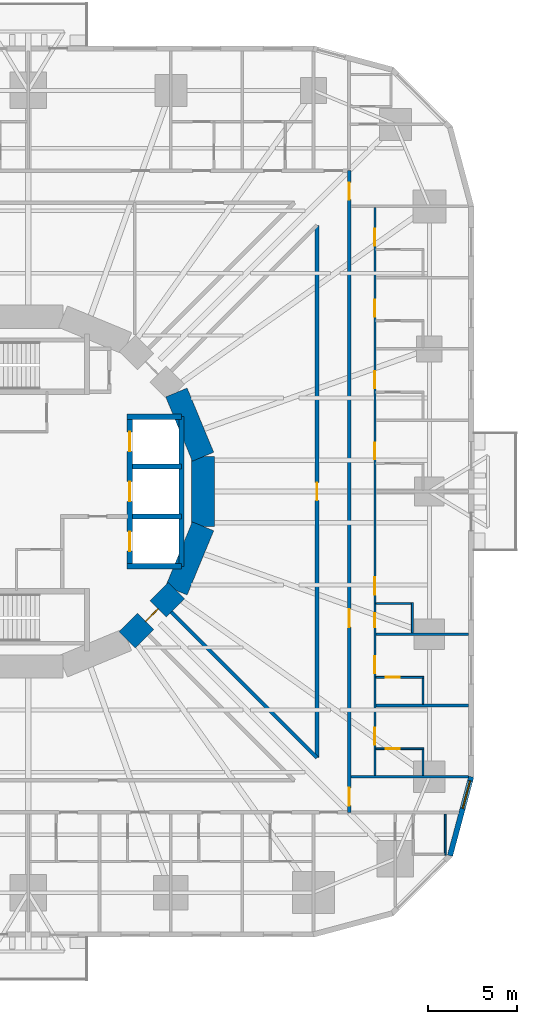
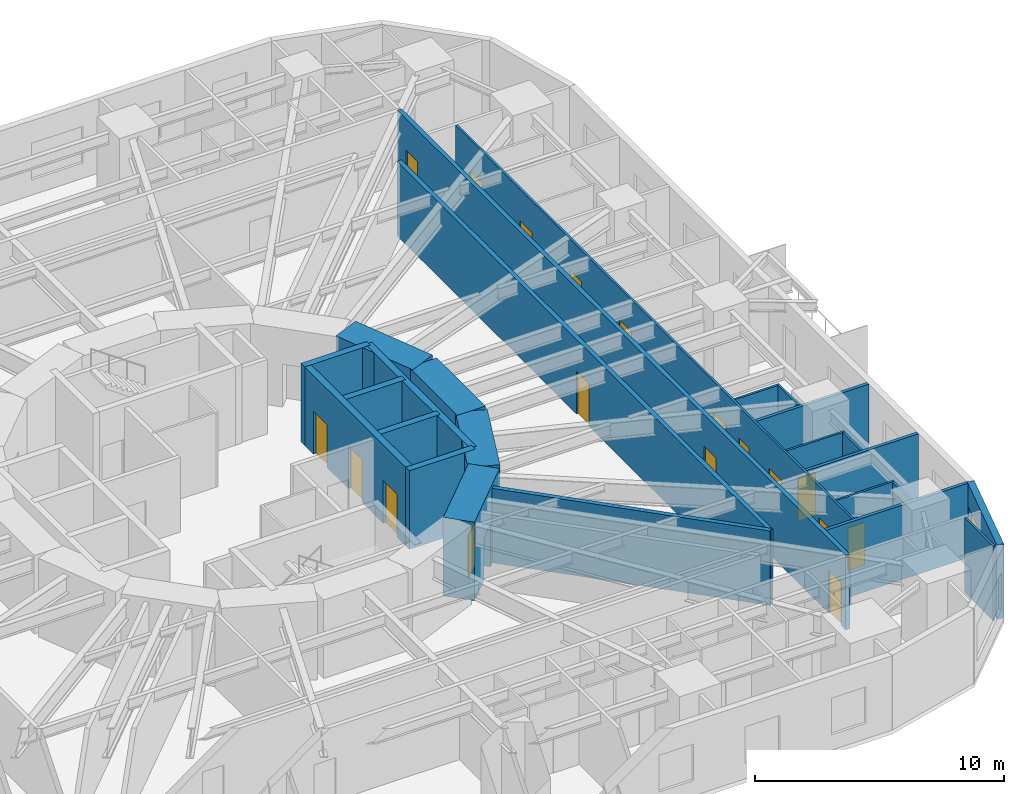
# One storey, part 8 of 14: 25 walls, 18 doors, 1 window, 19 openings.
"""IFC4 building model written with IfcOpenShell, lengths in metres."""

from ifc_helpers import new_model, si_unit, direction, frame, frame_2d, origin, place, context, subcontext, project, spatial, rectangle, extrude, material, layer, layer_set, type_object, element, fill, save


model = new_model("IFC4")

# Units and contexts
model_context = context("Model", 3, precision=1e-05, world=origin(), true_north=direction((0.0, 1.0)))
body_context = subcontext(model_context, "Body", "Model", "MODEL_VIEW")
ifc_project = project(units=[si_unit("LENGTHUNIT", "METRE"), si_unit("AREAUNIT", "SQUARE_METRE"), si_unit("VOLUMEUNIT", "CUBIC_METRE"), si_unit("PLANEANGLEUNIT", "RADIAN"), si_unit("MASSUNIT", "GRAM", prefix="KILO")], contexts=[model_context])

# Site, building, storey
site_placement = place(None, origin())
site = spatial("IfcSite", under=ifc_project, at=site_placement, CompositionType="ELEMENT")
building_placement = place(site_placement, origin())
building = spatial("IfcBuilding", under=site, at=building_placement, Name="Nakasero Lantern House", CompositionType="ELEMENT")
storey_placement = place(building_placement, frame((0.0, 0.0, 27.550048828125)))
storey = spatial("IfcBuildingStorey", under=building, at=storey_placement, Name="L06", CompositionType="ELEMENT", Elevation=27.550048828125)

# Wall, openings, doors
ifc_material_1 = material(Name="Blockwork", Category="masonry")
ifc_layer_1 = layer(ifc_material_1, 0.10009765625)
ifc_layer_set_1 = layer_set([ifc_layer_1], Name="Cluster hall wall 100")
wall_type_1 = type_object("IfcWallType", Name="Cluster hall wall 100", PredefinedType="PARTITIONING", material=ifc_layer_set_1)
wall_1_placement = place(storey_placement, frame((19.449951171875, -15.925048828125, 0.0), z_axis=(0.0, 0.0, 1.0), x_axis=(0.0, 1.0, 0.0)))
wall_1 = element("IfcWall", 1, at=wall_1_placement, inside=storey, type_object=wall_type_1, Name="Cluster hall wall L06 HW0-0", PredefinedType="PARTITIONING", context=body_context, shape_type="SweptSolid", body=[
    extrude(rectangle(XDim=31.85009765625, YDim=0.10009765625, at=frame_2d((15.925048828125, 0.0))), origin(), (0.0, 0.0, 1.0), 3.64990234375),
])
opening_1_placement = place(wall_1_placement, frame((10.125, 0.0, 0.0)))
opening_1 = element("IfcOpeningElement", 2, at=opening_1_placement, cuts=wall_1, Name="Opening D03", PredefinedType="OPENING", context=body_context, shape_type="SweptSolid", body=[
    extrude(rectangle(XDim=1.0, YDim=2.10009765625, at=frame_2d((0.5, 1.050048828125))), frame((0.0, 0.070068359375, 0.0), z_axis=(0.0, -1.0, 0.0), x_axis=(1.0, 0.0, 0.0)), (0.0, 0.0, 1.0), 0.14013671875),
])
opening_2_placement = place(wall_1_placement, frame((8.300048828125, 0.0, 0.0)))
opening_2 = element("IfcOpeningElement", 3, at=opening_2_placement, cuts=wall_1, Name="Opening D02", PredefinedType="OPENING", context=body_context, shape_type="SweptSolid", body=[
    extrude(rectangle(XDim=0.800048828125, YDim=2.10009765625, at=frame_2d((0.39990234375, 1.050048828125))), frame((0.0, 0.070068359375, 0.0), z_axis=(0.0, -1.0, 0.0), x_axis=(1.0, 0.0, 0.0)), (0.0, 0.0, 1.0), 0.14013671875),
])
opening_3_placement = place(wall_1_placement, frame((1.72509765625, 0.0, 0.0)))
opening_3 = element("IfcOpeningElement", 4, at=opening_3_placement, cuts=wall_1, Name="Opening D01", PredefinedType="OPENING", context=body_context, shape_type="SweptSolid", body=[
    extrude(rectangle(XDim=0.949951171875, YDim=2.10009765625, at=frame_2d((0.47509765625, 1.050048828125))), frame((0.0, 0.070068359375, 0.0), z_axis=(0.0, -1.0, 0.0), x_axis=(1.0, 0.0, 0.0)), (0.0, 0.0, 1.0), 0.14013671875),
])
opening_4_placement = place(wall_1_placement, frame((5.72509765625, 0.0, 0.0)))
opening_4 = element("IfcOpeningElement", 5, at=opening_4_placement, cuts=wall_1, Name="Opening D01", PredefinedType="OPENING", context=body_context, shape_type="SweptSolid", body=[
    extrude(rectangle(XDim=0.949951171875, YDim=2.10009765625, at=frame_2d((0.47509765625, 1.050048828125))), frame((0.0, 0.070068359375, 0.0), z_axis=(0.0, -1.0, 0.0), x_axis=(1.0, 0.0, 0.0)), (0.0, 0.0, 1.0), 0.14013671875),
])
opening_5_placement = place(wall_1_placement, frame((17.72509765625, 0.0, 0.0)))
opening_5 = element("IfcOpeningElement", 6, at=opening_5_placement, cuts=wall_1, Name="Opening D01", PredefinedType="OPENING", context=body_context, shape_type="SweptSolid", body=[
    extrude(rectangle(XDim=0.949951171875, YDim=2.10009765625, at=frame_2d((0.47509765625, 1.050048828125))), frame((0.0, 0.070068359375, 0.0), z_axis=(0.0, -1.0, 0.0), x_axis=(1.0, 0.0, 0.0)), (0.0, 0.0, 1.0), 0.14013671875),
])
opening_6_placement = place(wall_1_placement, frame((21.72509765625, 0.0, 0.0)))
opening_6 = element("IfcOpeningElement", 7, at=opening_6_placement, cuts=wall_1, Name="Opening D01", PredefinedType="OPENING", context=body_context, shape_type="SweptSolid", body=[
    extrude(rectangle(XDim=0.949951171875, YDim=2.10009765625, at=frame_2d((0.47509765625, 1.050048828125))), frame((0.0, 0.070068359375, 0.0), z_axis=(0.0, -1.0, 0.0), x_axis=(1.0, 0.0, 0.0)), (0.0, 0.0, 1.0), 0.14013671875),
])
opening_7_placement = place(wall_1_placement, frame((25.72509765625, 0.0, 0.0)))
opening_7 = element("IfcOpeningElement", 8, at=opening_7_placement, cuts=wall_1, Name="Opening D01", PredefinedType="OPENING", context=body_context, shape_type="SweptSolid", body=[
    extrude(rectangle(XDim=0.949951171875, YDim=2.10009765625, at=frame_2d((0.47509765625, 1.050048828125))), frame((0.0, 0.070068359375, 0.0), z_axis=(0.0, -1.0, 0.0), x_axis=(1.0, 0.0, 0.0)), (0.0, 0.0, 1.0), 0.14013671875),
])
opening_8_placement = place(wall_1_placement, frame((29.72509765625, 0.0, 0.0)))
opening_8 = element("IfcOpeningElement", 9, at=opening_8_placement, cuts=wall_1, Name="Opening D01", PredefinedType="OPENING", context=body_context, shape_type="SweptSolid", body=[
    extrude(rectangle(XDim=0.949951171875, YDim=2.10009765625, at=frame_2d((0.47509765625, 1.050048828125))), frame((0.0, 0.070068359375, 0.0), z_axis=(0.0, -1.0, 0.0), x_axis=(1.0, 0.0, 0.0)), (0.0, 0.0, 1.0), 0.14013671875),
])
ifc_material_2 = material(Name="Timber C24", Category="wood")
door_type_1 = type_object("IfcDoorType", Name="Bedroom door FD30S 950", OperationType="SINGLE_SWING_LEFT", PredefinedType="DOOR", material=ifc_material_2)
door_1_placement = place(opening_3_placement, origin())
door_1 = element("IfcDoor", 10, at=door_1_placement, inside=storey, type_object=door_type_1, Name="Door L06 D0-01", OperationType="SINGLE_SWING_LEFT", OverallHeight=2.10009765625, OverallWidth=0.949951171875, PredefinedType="DOOR", context=body_context, shape_type="SweptSolid", body=[
    extrude(rectangle(XDim=0.949951171875, YDim=2.10009765625, at=frame_2d((0.47509765625, 1.050048828125))), frame((0.0, 0.02490234375, 0.0), z_axis=(0.0, -1.0, 0.0), x_axis=(1.0, 0.0, 0.0)), (0.0, 0.0, 1.0), 0.050048828125),
])
fill(opening_3, door_1)
door_2_placement = place(opening_4_placement, origin())
door_2 = element("IfcDoor", 11, at=door_2_placement, inside=storey, type_object=door_type_1, Name="Door L06 D0-02", OperationType="SINGLE_SWING_LEFT", OverallHeight=2.10009765625, OverallWidth=0.949951171875, PredefinedType="DOOR", context=body_context, shape_type="SweptSolid", body=[
    extrude(rectangle(XDim=0.949951171875, YDim=2.10009765625, at=frame_2d((0.47509765625, 1.050048828125))), frame((0.0, 0.02490234375, 0.0), z_axis=(0.0, -1.0, 0.0), x_axis=(1.0, 0.0, 0.0)), (0.0, 0.0, 1.0), 0.050048828125),
])
fill(opening_4, door_2)
door_3_placement = place(opening_5_placement, origin())
door_3 = element("IfcDoor", 12, at=door_3_placement, inside=storey, type_object=door_type_1, Name="Door L06 D0-05", OperationType="SINGLE_SWING_RIGHT", OverallHeight=2.10009765625, OverallWidth=0.949951171875, PredefinedType="DOOR", context=body_context, shape_type="SweptSolid", body=[
    extrude(rectangle(XDim=0.949951171875, YDim=2.10009765625, at=frame_2d((0.47509765625, 1.050048828125))), frame((0.0, 0.02490234375, 0.0), z_axis=(0.0, -1.0, 0.0), x_axis=(1.0, 0.0, 0.0)), (0.0, 0.0, 1.0), 0.050048828125),
])
fill(opening_5, door_3)
door_4_placement = place(opening_6_placement, origin())
door_4 = element("IfcDoor", 13, at=door_4_placement, inside=storey, type_object=door_type_1, Name="Door L06 D0-06", OperationType="SINGLE_SWING_RIGHT", OverallHeight=2.10009765625, OverallWidth=0.949951171875, PredefinedType="DOOR", context=body_context, shape_type="SweptSolid", body=[
    extrude(rectangle(XDim=0.949951171875, YDim=2.10009765625, at=frame_2d((0.47509765625, 1.050048828125))), frame((0.0, 0.02490234375, 0.0), z_axis=(0.0, -1.0, 0.0), x_axis=(1.0, 0.0, 0.0)), (0.0, 0.0, 1.0), 0.050048828125),
])
fill(opening_6, door_4)
door_5_placement = place(opening_7_placement, origin())
door_5 = element("IfcDoor", 14, at=door_5_placement, inside=storey, type_object=door_type_1, Name="Door L06 D0-07", OperationType="SINGLE_SWING_RIGHT", OverallHeight=2.10009765625, OverallWidth=0.949951171875, PredefinedType="DOOR", context=body_context, shape_type="SweptSolid", body=[
    extrude(rectangle(XDim=0.949951171875, YDim=2.10009765625, at=frame_2d((0.47509765625, 1.050048828125))), frame((0.0, 0.02490234375, 0.0), z_axis=(0.0, -1.0, 0.0), x_axis=(1.0, 0.0, 0.0)), (0.0, 0.0, 1.0), 0.050048828125),
])
fill(opening_7, door_5)
door_6_placement = place(opening_8_placement, origin())
door_6 = element("IfcDoor", 15, at=door_6_placement, inside=storey, type_object=door_type_1, Name="Door L06 D0-08", OperationType="SINGLE_SWING_RIGHT", OverallHeight=2.10009765625, OverallWidth=0.949951171875, PredefinedType="DOOR", context=body_context, shape_type="SweptSolid", body=[
    extrude(rectangle(XDim=0.949951171875, YDim=2.10009765625, at=frame_2d((0.47509765625, 1.050048828125))), frame((0.0, 0.02490234375, 0.0), z_axis=(0.0, -1.0, 0.0), x_axis=(1.0, 0.0, 0.0)), (0.0, 0.0, 1.0), 0.050048828125),
])
fill(opening_8, door_6)
ifc_material_3 = material(Name="Timber C24", Category="wood")
door_type_2 = type_object("IfcDoorType", Name="En-suite door 800", OperationType="SINGLE_SWING_RIGHT", PredefinedType="DOOR", material=ifc_material_3)
door_7_placement = place(opening_2_placement, origin())
door_7 = element("IfcDoor", 16, at=door_7_placement, inside=storey, type_object=door_type_2, Name="Door L06 DSH0-0", OperationType="SINGLE_SWING_LEFT", OverallHeight=2.10009765625, OverallWidth=0.800048828125, PredefinedType="DOOR", context=body_context, shape_type="SweptSolid", body=[
    extrude(rectangle(XDim=0.800048828125, YDim=2.10009765625, at=frame_2d((0.39990234375, 1.050048828125))), frame((0.0, 0.02490234375, 0.0), z_axis=(0.0, -1.0, 0.0), x_axis=(1.0, 0.0, 0.0)), (0.0, 0.0, 1.0), 0.050048828125),
])
fill(opening_2, door_7)
ifc_material_4 = material(Name="Timber C24", Category="wood")
door_type_3 = type_object("IfcDoorType", Name="Lounge door FD30S 1000", OperationType="SINGLE_SWING_LEFT", PredefinedType="DOOR", material=ifc_material_4)
door_8_placement = place(opening_1_placement, origin())
door_8 = element("IfcDoor", 17, at=door_8_placement, inside=storey, type_object=door_type_3, Name="Door L06 DH0-0", OperationType="SINGLE_SWING_LEFT", OverallHeight=2.10009765625, OverallWidth=1.0, PredefinedType="DOOR", context=body_context, shape_type="SweptSolid", body=[
    extrude(rectangle(XDim=1.0, YDim=2.10009765625, at=frame_2d((0.5, 1.050048828125))), frame((0.0, 0.02490234375, 0.0), z_axis=(0.0, -1.0, 0.0), x_axis=(1.0, 0.0, 0.0)), (0.0, 0.0, 1.0), 0.050048828125),
])
fill(opening_1, door_8)

ifc_material_5 = material(Name="Concrete C50/60", Category="concrete")
ifc_layer_2 = layer(ifc_material_5, 0.300048828125)
ifc_layer_set_2 = layer_set([ifc_layer_2], Name="Core inner wall 300")
wall_type_2 = type_object("IfcWallType", Name="Core inner wall 300", PredefinedType="SHEAR", material=ifc_layer_set_2)
wall_2_placement = place(storey_placement, frame((5.699951171875, -4.199951171875, 0.0), z_axis=(0.0, 0.0, 1.0), x_axis=(0.0, 1.0, 0.0)))
wall_2 = element("IfcWall", 18, at=wall_2_placement, inside=storey, type_object=wall_type_2, Name="Core inner wall L06 LE", PredefinedType="SHEAR", context=body_context, shape_type="SweptSolid", body=[
    extrude(rectangle(XDim=8.39990234375, YDim=0.300048828125, at=frame_2d((4.199951171875, 0.0))), origin(), (0.0, 0.0, 1.0), 3.849853515625),
])
opening_9_placement = place(wall_2_placement, frame((0.85009765625, 0.0, 0.0)))
opening_9 = element("IfcOpeningElement", 19, at=opening_9_placement, cuts=wall_2, Name="Opening LD", PredefinedType="OPENING", context=body_context, shape_type="SweptSolid", body=[
    extrude(rectangle(XDim=1.10009765625, YDim=2.10009765625, at=frame_2d((0.550048828125, 1.050048828125))), frame((0.0, 0.169921875, 0.0), z_axis=(0.0, -1.0, 0.0), x_axis=(1.0, 0.0, 0.0)), (0.0, 0.0, 1.0), 0.340087890625),
])
opening_10_placement = place(wall_2_placement, frame((3.64990234375, 0.0, 0.0)))
opening_10 = element("IfcOpeningElement", 20, at=opening_10_placement, cuts=wall_2, Name="Opening LD", PredefinedType="OPENING", context=body_context, shape_type="SweptSolid", body=[
    extrude(rectangle(XDim=1.10009765625, YDim=2.10009765625, at=frame_2d((0.550048828125, 1.050048828125))), frame((0.0, 0.169921875, 0.0), z_axis=(0.0, -1.0, 0.0), x_axis=(1.0, 0.0, 0.0)), (0.0, 0.0, 1.0), 0.340087890625),
])
opening_11_placement = place(wall_2_placement, frame((6.449951171875, 0.0, 0.0)))
opening_11 = element("IfcOpeningElement", 21, at=opening_11_placement, cuts=wall_2, Name="Opening LD", PredefinedType="OPENING", context=body_context, shape_type="SweptSolid", body=[
    extrude(rectangle(XDim=1.10009765625, YDim=2.10009765625, at=frame_2d((0.550048828125, 1.050048828125))), frame((0.0, 0.169921875, 0.0), z_axis=(0.0, -1.0, 0.0), x_axis=(1.0, 0.0, 0.0)), (0.0, 0.0, 1.0), 0.340087890625),
])
ifc_material_6 = material(Name="Steel S355", Category="steel")
door_type_4 = type_object("IfcDoorType", Name="Lift landing door E120 1100", OperationType="SLIDING_TO_LEFT", PredefinedType="DOOR", material=ifc_material_6)
door_9_placement = place(opening_9_placement, origin())
door_9 = element("IfcDoor", 22, at=door_9_placement, inside=storey, type_object=door_type_4, Name="Lift landing door LE1", OperationType="SLIDING_TO_LEFT", OverallHeight=2.10009765625, OverallWidth=1.10009765625, PredefinedType="DOOR", context=body_context, shape_type="SweptSolid", body=[
    extrude(rectangle(XDim=1.10009765625, YDim=2.10009765625, at=frame_2d((0.550048828125, 1.050048828125))), frame((0.0, 0.02490234375, 0.0), z_axis=(0.0, -1.0, 0.0), x_axis=(1.0, 0.0, 0.0)), (0.0, 0.0, 1.0), 0.050048828125),
])
fill(opening_9, door_9)
door_10_placement = place(opening_10_placement, origin())
door_10 = element("IfcDoor", 23, at=door_10_placement, inside=storey, type_object=door_type_4, Name="Lift landing door LE2", OperationType="SLIDING_TO_LEFT", OverallHeight=2.10009765625, OverallWidth=1.10009765625, PredefinedType="DOOR", context=body_context, shape_type="SweptSolid", body=[
    extrude(rectangle(XDim=1.10009765625, YDim=2.10009765625, at=frame_2d((0.550048828125, 1.050048828125))), frame((0.0, 0.02490234375, 0.0), z_axis=(0.0, -1.0, 0.0), x_axis=(1.0, 0.0, 0.0)), (0.0, 0.0, 1.0), 0.050048828125),
])
fill(opening_10, door_10)
door_11_placement = place(opening_11_placement, origin())
door_11 = element("IfcDoor", 24, at=door_11_placement, inside=storey, type_object=door_type_4, Name="Lift landing door LE3", OperationType="SLIDING_TO_LEFT", OverallHeight=2.10009765625, OverallWidth=1.10009765625, PredefinedType="DOOR", context=body_context, shape_type="SweptSolid", body=[
    extrude(rectangle(XDim=1.10009765625, YDim=2.10009765625, at=frame_2d((0.550048828125, 1.050048828125))), frame((0.0, 0.02490234375, 0.0), z_axis=(0.0, -1.0, 0.0), x_axis=(1.0, 0.0, 0.0)), (0.0, 0.0, 1.0), 0.050048828125),
])
fill(opening_11, door_11)

# Walls
for number, where, z_axis, x_axis, name in (
    (25, (5.550048828125, 4.199951171875, 0.0), (0.0, 0.0, 1.0), (1.0, 0.0, 0.0), "Core inner wall L06 LEN"),
    (26, (5.550048828125, -4.199951171875, 0.0), (0.0, 0.0, 1.0), (1.0, 0.0, 0.0), "Core inner wall L06 LES"),
):
    element("IfcWall", number, at=place(storey_placement, frame(where, z_axis=z_axis, x_axis=x_axis)), inside=storey, type_object=wall_type_2, Name=name, PredefinedType="SHEAR", context=body_context, shape_type="SweptSolid", body=[
        extrude(rectangle(XDim=3.050048828125, YDim=0.300048828125, at=frame_2d((1.52490234375, 0.0))), origin(), (0.0, 0.0, 1.0), 3.849853515625),
    ])
wall_3_placement = place(storey_placement, frame((8.60009765625, -4.199951171875, 0.0), z_axis=(0.0, 0.0, 1.0), x_axis=(0.0, 1.0, 0.0)))
element("IfcWall", 27, at=wall_3_placement, inside=storey, type_object=wall_type_2, Name="Core inner wall L06 LEB", PredefinedType="SHEAR", context=body_context, shape_type="SweptSolid", body=[
    extrude(rectangle(XDim=8.39990234375, YDim=0.300048828125, at=frame_2d((4.199951171875, 0.0))), origin(), (0.0, 0.0, 1.0), 3.849853515625),
])
for number, where, z_axis, x_axis, name in (
    (28, (5.85009765625, -1.39990234375, 0.0), (0.0, 0.0, 1.0), (1.0, 0.0, 0.0), "Core inner wall L06 LE1"),
    (29, (5.85009765625, 1.39990234375, 0.0), (0.0, 0.0, 1.0), (1.0, 0.0, 0.0), "Core inner wall L06 LE2"),
):
    element("IfcWall", number, at=place(storey_placement, frame(where, z_axis=z_axis, x_axis=x_axis)), inside=storey, type_object=wall_type_2, Name=name, PredefinedType="SHEAR", context=body_context, shape_type="SweptSolid", body=[
        extrude(rectangle(XDim=2.75, YDim=0.300048828125, at=frame_2d((1.375, 0.0))), origin(), (0.0, 0.0, 1.0), 3.849853515625),
    ])
ifc_material_7 = material(Name="Concrete C50/60", Category="concrete")
ifc_layer_3 = layer(ifc_material_7, 1.300048828125)
ifc_layer_set_3 = layer_set([ifc_layer_3], Name="Core wall 1300")
wall_type_3 = type_object("IfcWallType", Name="Core wall 1300", PredefinedType="SHEAR", material=ifc_layer_set_3)
wall_4_placement = place(storey_placement, frame((9.807861328125, 1.950927734375, 0.0), z_axis=(0.0, 0.0, 1.0), x_axis=(-0.382690736062, 0.923876507187, 0.0)))
element("IfcWall", 30, at=wall_4_placement, inside=storey, type_object=wall_type_3, Name="Core wall L06 facet 1", PredefinedType="SHEAR", context=body_context, shape_type="SweptSolid", body=[
    extrude(rectangle(XDim=3.90185546875, YDim=1.300048828125, at=frame_2d((1.950927734375, 0.0))), origin(), (0.0, 0.0, 1.0), 3.849853515625),
])

# Wall, opening, door
wall_5_placement = place(storey_placement, frame((5.5556640625, -8.314697265625, 0.0), z_axis=(0.0, 0.0, 1.0), x_axis=(0.707106781187, 0.707106781187, 0.0)))
wall_5 = element("IfcWall", 31, at=wall_5_placement, inside=storey, type_object=wall_type_3, Name="Core wall L06 facet 14", PredefinedType="SHEAR", context=body_context, shape_type="SweptSolid", body=[
    extrude(rectangle(XDim=3.90185546875, YDim=1.300048828125, at=frame_2d((1.950927734375, 0.0))), origin(), (0.0, 0.0, 1.0), 3.849853515625),
])
opening_12_placement = place(wall_5_placement, frame((1.450927734375, 0.0, 0.0)))
opening_12 = element("IfcOpeningElement", 32, at=opening_12_placement, cuts=wall_5, Name="Opening D05", PredefinedType="OPENING", context=body_context, shape_type="SweptSolid", body=[
    extrude(rectangle(XDim=1.0, YDim=2.10009765625, at=frame_2d((0.5, 1.050048828125))), frame((0.0, 0.669921875, 0.0), z_axis=(0.0, -1.0, 0.0), x_axis=(1.0, 0.0, 0.0)), (0.0, 0.0, 1.0), 1.340087890625),
])
ifc_material_8 = material(Name="Timber C24", Category="wood")
door_type_5 = type_object("IfcDoorType", Name="Core door FD60S 1000", OperationType="SINGLE_SWING_LEFT", PredefinedType="DOOR", material=ifc_material_8)
door_12_placement = place(opening_12_placement, origin())
door_12 = element("IfcDoor", 33, at=door_12_placement, inside=storey, type_object=door_type_5, Name="Door L06 D-CORE14", OperationType="SINGLE_SWING_LEFT", OverallHeight=2.10009765625, OverallWidth=1.0, PredefinedType="DOOR", context=body_context, shape_type="SweptSolid", body=[
    extrude(rectangle(XDim=1.0, YDim=2.10009765625, at=frame_2d((0.5, 1.050048828125))), frame((0.0, 0.02490234375, 0.0), z_axis=(0.0, -1.0, 0.0), x_axis=(1.0, 0.0, 0.0)), (0.0, 0.0, 1.0), 0.050048828125),
])
fill(opening_12, door_12)

# Walls
for number, where, z_axis, x_axis, name in (
    (34, (8.314697265625, -5.5556640625, 0.0), (0.0, 0.0, 1.0), (0.382690736062, 0.923876507187, 0.0), "Core wall L06 facet 15"),
    (35, (9.807861328125, -1.950927734375, 0.0), (0.0, 0.0, 1.0), (0.0, 1.0, 0.0), "Core wall L06 facet 16"),
):
    element("IfcWall", number, at=place(storey_placement, frame(where, z_axis=z_axis, x_axis=x_axis)), inside=storey, type_object=wall_type_3, Name=name, PredefinedType="SHEAR", context=body_context, shape_type="SweptSolid", body=[
        extrude(rectangle(XDim=3.90185546875, YDim=1.300048828125, at=frame_2d((1.950927734375, 0.0))), origin(), (0.0, 0.0, 1.0), 3.849853515625),
    ])

# Wall, openings, doors
ifc_material_9 = material(Name="Blockwork", Category="masonry")
ifc_layer_4 = layer(ifc_material_9, 0.199951171875)
ifc_layer_set_4 = layer_set([ifc_layer_4], Name="Corridor wall 200")
wall_type_4 = type_object("IfcWallType", Name="Corridor wall 200", PredefinedType="PARTITIONING", material=ifc_layer_set_4)
wall_6_placement = place(storey_placement, frame((18.0, -18.0, 0.0), z_axis=(0.0, 0.0, 1.0), x_axis=(0.0, 1.0, 0.0)))
wall_6 = element("IfcWall", 36, at=wall_6_placement, inside=storey, type_object=wall_type_4, Name="Corridor wall L06 CW0", PredefinedType="PARTITIONING", context=body_context, shape_type="SweptSolid", body=[
    extrude(rectangle(XDim=36.0, YDim=0.199951171875, at=frame_2d((18.0, 0.0))), origin(), (0.0, 0.0, 1.0), 3.64990234375),
])
opening_13_placement = place(wall_6_placement, frame((10.39990234375, 0.0, 0.0)))
opening_13 = element("IfcOpeningElement", 37, at=opening_13_placement, cuts=wall_6, Name="Opening D14", PredefinedType="OPENING", context=body_context, shape_type="SweptSolid", body=[
    extrude(rectangle(XDim=1.0, YDim=2.10009765625, at=frame_2d((0.5, 1.050048828125))), frame((0.0, 0.119873046875, 0.0), z_axis=(0.0, -1.0, 0.0), x_axis=(1.0, 0.0, 0.0)), (0.0, 0.0, 1.0), 0.239990234375),
])
opening_14_placement = place(wall_6_placement, frame((0.375, 0.0, 0.0)))
opening_14 = element("IfcOpeningElement", 38, at=opening_14_placement, cuts=wall_6, Name="Opening D07", PredefinedType="OPENING", context=body_context, shape_type="SweptSolid", body=[
    extrude(rectangle(XDim=1.0, YDim=2.10009765625, at=frame_2d((0.5, 1.050048828125))), frame((0.0, 0.119873046875, 0.0), z_axis=(0.0, -1.0, 0.0), x_axis=(1.0, 0.0, 0.0)), (0.0, 0.0, 1.0), 0.239990234375),
])
opening_15_placement = place(wall_6_placement, frame((34.375, 0.0, 0.0)))
opening_15 = element("IfcOpeningElement", 39, at=opening_15_placement, cuts=wall_6, Name="Opening D01", PredefinedType="OPENING", context=body_context, shape_type="SweptSolid", body=[
    extrude(rectangle(XDim=0.949951171875, YDim=2.10009765625, at=frame_2d((0.47509765625, 1.050048828125))), frame((0.0, 0.119873046875, 0.0), z_axis=(0.0, -1.0, 0.0), x_axis=(1.0, 0.0, 0.0)), (0.0, 0.0, 1.0), 0.239990234375),
])
door_13_placement = place(opening_15_placement, origin())
door_13 = element("IfcDoor", 40, at=door_13_placement, inside=storey, type_object=door_type_1, Name="Door L06 D0-09", OperationType="SINGLE_SWING_RIGHT", OverallHeight=2.10009765625, OverallWidth=0.949951171875, PredefinedType="DOOR", context=body_context, shape_type="SweptSolid", body=[
    extrude(rectangle(XDim=0.949951171875, YDim=2.10009765625, at=frame_2d((0.47509765625, 1.050048828125))), frame((0.0, 0.02490234375, 0.0), z_axis=(0.0, -1.0, 0.0), x_axis=(1.0, 0.0, 0.0)), (0.0, 0.0, 1.0), 0.050048828125),
])
fill(opening_15, door_13)
ifc_material_10 = material(Name="Timber C24", Category="wood")
door_type_6 = type_object("IfcDoorType", Name="Cluster entrance door FD30S 1000", OperationType="SINGLE_SWING_LEFT", PredefinedType="DOOR", material=ifc_material_10)
door_14_placement = place(opening_13_placement, origin())
door_14 = element("IfcDoor", 41, at=door_14_placement, inside=storey, type_object=door_type_6, Name="Door L06 DF0-0", OperationType="SINGLE_SWING_LEFT", OverallHeight=2.10009765625, OverallWidth=1.0, PredefinedType="DOOR", context=body_context, shape_type="SweptSolid", body=[
    extrude(rectangle(XDim=1.0, YDim=2.10009765625, at=frame_2d((0.5, 1.050048828125))), frame((0.0, 0.02490234375, 0.0), z_axis=(0.0, -1.0, 0.0), x_axis=(1.0, 0.0, 0.0)), (0.0, 0.0, 1.0), 0.050048828125),
])
fill(opening_13, door_14)
ifc_material_11 = material(Name="Timber C24", Category="wood")
door_type_7 = type_object("IfcDoorType", Name="Room door FD30S 1000", OperationType="SINGLE_SWING_LEFT", PredefinedType="DOOR", material=ifc_material_11)
door_15_placement = place(opening_14_placement, origin())
door_15 = element("IfcDoor", 42, at=door_15_placement, inside=storey, type_object=door_type_7, Name="Door L06 D0-00", OperationType="SINGLE_SWING_LEFT", OverallHeight=2.10009765625, OverallWidth=1.0, PredefinedType="DOOR", context=body_context, shape_type="SweptSolid", body=[
    extrude(rectangle(XDim=1.0, YDim=2.10009765625, at=frame_2d((0.5, 1.050048828125))), frame((0.0, 0.02490234375, 0.0), z_axis=(0.0, -1.0, 0.0), x_axis=(1.0, 0.0, 0.0)), (0.0, 0.0, 1.0), 0.050048828125),
])
fill(opening_14, door_15)

# Wall, opening, door
wall_7_placement = place(storey_placement, frame((16.199951171875, -14.92724609375, 0.0), z_axis=(0.0, 0.0, 1.0), x_axis=(0.0, 1.0, 0.0)))
wall_7 = element("IfcWall", 43, at=wall_7_placement, inside=storey, type_object=wall_type_4, Name="Corridor wall L06 IW0-0", PredefinedType="PARTITIONING", context=body_context, shape_type="SweptSolid", body=[
    extrude(rectangle(XDim=29.8544921875, YDim=0.199951171875, at=frame_2d((14.92724609375, 0.0))), origin(), (0.0, 0.0, 1.0), 3.64990234375),
])
opening_16_placement = place(wall_7_placement, frame((14.42724609375, 0.0, 0.0)))
opening_16 = element("IfcOpeningElement", 44, at=opening_16_placement, cuts=wall_7, Name="Opening D07", PredefinedType="OPENING", context=body_context, shape_type="SweptSolid", body=[
    extrude(rectangle(XDim=1.0, YDim=2.10009765625, at=frame_2d((0.5, 1.050048828125))), frame((0.0, 0.119873046875, 0.0), z_axis=(0.0, -1.0, 0.0), x_axis=(1.0, 0.0, 0.0)), (0.0, 0.0, 1.0), 0.239990234375),
])
door_16_placement = place(opening_16_placement, origin())
door_16 = element("IfcDoor", 45, at=door_16_placement, inside=storey, type_object=door_type_7, Name="Door L06 DI1", OperationType="SINGLE_SWING_LEFT", OverallHeight=2.10009765625, OverallWidth=1.0, PredefinedType="DOOR", context=body_context, shape_type="SweptSolid", body=[
    extrude(rectangle(XDim=1.0, YDim=2.10009765625, at=frame_2d((0.5, 1.050048828125))), frame((0.0, 0.02490234375, 0.0), z_axis=(0.0, -1.0, 0.0), x_axis=(1.0, 0.0, 0.0)), (0.0, 0.0, 1.0), 0.050048828125),
])
fill(opening_16, door_16)

# Walls
wall_8_placement = place(storey_placement, frame((8.03125, -6.758544921875, 0.0), z_axis=(0.0, 0.0, 1.0), x_axis=(0.707106781187, -0.707106781187, 0.0)))
element("IfcWall", 46, at=wall_8_placement, inside=storey, type_object=wall_type_4, Name="Corridor wall L06 PS14a", PredefinedType="PARTITIONING", context=body_context, shape_type="SweptSolid", body=[
    extrude(rectangle(XDim=11.55224609375, YDim=0.199951171875, at=frame_2d((5.776123046875, 0.0))), origin(), (0.0, 0.0, 1.0), 3.64990234375),
])
ifc_material_12 = material(Name="Blockwork", Category="masonry")
ifc_layer_5 = layer(ifc_material_12, 0.10009765625)
ifc_layer_set_5 = layer_set([ifc_layer_5], Name="En-suite wall 100")
wall_type_5 = type_object("IfcWallType", Name="En-suite wall 100", PredefinedType="PARTITIONING", material=ifc_layer_set_5)
wall_9_placement = place(storey_placement, frame((19.5, -6.27490234375, 0.0), z_axis=(0.0, 0.0, 1.0), x_axis=(1.0, 0.0, 0.0)))
element("IfcWall", 47, at=wall_9_placement, inside=storey, type_object=wall_type_5, Name="En-suite wall L06 SS0-0", PredefinedType="PARTITIONING", context=body_context, shape_type="SweptSolid", body=[
    extrude(rectangle(XDim=2.10009765625, YDim=0.10009765625, at=frame_2d((1.050048828125, 0.0))), origin(), (0.0, 0.0, 1.0), 3.64990234375),
])
wall_10_placement = place(storey_placement, frame((21.550048828125, -7.925048828125, 0.0), z_axis=(0.0, 0.0, 1.0), x_axis=(0.0, 1.0, 0.0)))
element("IfcWall", 48, at=wall_10_placement, inside=storey, type_object=wall_type_5, Name="En-suite wall L06 SE0-0", PredefinedType="PARTITIONING", context=body_context, shape_type="SweptSolid", body=[
    extrude(rectangle(XDim=1.699951171875, YDim=0.10009765625, at=frame_2d((0.85009765625, 0.0))), origin(), (0.0, 0.0, 1.0), 3.64990234375),
])

# Wall, opening, door
wall_11_placement = place(storey_placement, frame((19.5, -14.425048828125, 0.0), z_axis=(0.0, 0.0, 1.0), x_axis=(1.0, 0.0, 0.0)))
wall_11 = element("IfcWall", 49, at=wall_11_placement, inside=storey, type_object=wall_type_5, Name="En-suite wall L06 ES0-01", PredefinedType="PARTITIONING", context=body_context, shape_type="SweptSolid", body=[
    extrude(rectangle(XDim=2.699951171875, YDim=0.10009765625, at=frame_2d((1.35009765625, 0.0))), origin(), (0.0, 0.0, 1.0), 3.64990234375),
])
opening_17_placement = place(wall_11_placement, frame((0.550048828125, 0.0, 0.0)))
opening_17 = element("IfcOpeningElement", 50, at=opening_17_placement, cuts=wall_11, Name="Opening D02", PredefinedType="OPENING", context=body_context, shape_type="SweptSolid", body=[
    extrude(rectangle(XDim=0.800048828125, YDim=2.10009765625, at=frame_2d((0.39990234375, 1.050048828125))), frame((0.0, 0.070068359375, 0.0), z_axis=(0.0, -1.0, 0.0), x_axis=(1.0, 0.0, 0.0)), (0.0, 0.0, 1.0), 0.14013671875),
])
door_17_placement = place(opening_17_placement, origin())
door_17 = element("IfcDoor", 51, at=door_17_placement, inside=storey, type_object=door_type_2, Name="Door L06 DE0-01", OperationType="SINGLE_SWING_LEFT", OverallHeight=2.10009765625, OverallWidth=0.800048828125, PredefinedType="DOOR", context=body_context, shape_type="SweptSolid", body=[
    extrude(rectangle(XDim=0.800048828125, YDim=2.10009765625, at=frame_2d((0.39990234375, 1.050048828125))), frame((0.0, 0.02490234375, 0.0), z_axis=(0.0, -1.0, 0.0), x_axis=(1.0, 0.0, 0.0)), (0.0, 0.0, 1.0), 0.050048828125),
])
fill(opening_17, door_17)

# Wall
wall_12_placement = place(storey_placement, frame((22.14990234375, -15.925048828125, 0.0), z_axis=(0.0, 0.0, 1.0), x_axis=(0.0, 1.0, 0.0)))
element("IfcWall", 52, at=wall_12_placement, inside=storey, type_object=wall_type_5, Name="En-suite wall L06 EE0-01", PredefinedType="PARTITIONING", context=body_context, shape_type="SweptSolid", body=[
    extrude(rectangle(XDim=1.449951171875, YDim=0.10009765625, at=frame_2d((0.72509765625, 0.0))), origin(), (0.0, 0.0, 1.0), 3.64990234375),
])

# Wall, opening, door
wall_13_placement = place(storey_placement, frame((19.5, -10.425048828125, 0.0), z_axis=(0.0, 0.0, 1.0), x_axis=(1.0, 0.0, 0.0)))
wall_13 = element("IfcWall", 53, at=wall_13_placement, inside=storey, type_object=wall_type_5, Name="En-suite wall L06 ES0-02", PredefinedType="PARTITIONING", context=body_context, shape_type="SweptSolid", body=[
    extrude(rectangle(XDim=2.699951171875, YDim=0.10009765625, at=frame_2d((1.35009765625, 0.0))), origin(), (0.0, 0.0, 1.0), 3.64990234375),
])
opening_18_placement = place(wall_13_placement, frame((0.550048828125, 0.0, 0.0)))
opening_18 = element("IfcOpeningElement", 54, at=opening_18_placement, cuts=wall_13, Name="Opening D02", PredefinedType="OPENING", context=body_context, shape_type="SweptSolid", body=[
    extrude(rectangle(XDim=0.800048828125, YDim=2.10009765625, at=frame_2d((0.39990234375, 1.050048828125))), frame((0.0, 0.070068359375, 0.0), z_axis=(0.0, -1.0, 0.0), x_axis=(1.0, 0.0, 0.0)), (0.0, 0.0, 1.0), 0.14013671875),
])
door_18_placement = place(opening_18_placement, origin())
door_18 = element("IfcDoor", 55, at=door_18_placement, inside=storey, type_object=door_type_2, Name="Door L06 DE0-02", OperationType="SINGLE_SWING_LEFT", OverallHeight=2.10009765625, OverallWidth=0.800048828125, PredefinedType="DOOR", context=body_context, shape_type="SweptSolid", body=[
    extrude(rectangle(XDim=0.800048828125, YDim=2.10009765625, at=frame_2d((0.39990234375, 1.050048828125))), frame((0.0, 0.02490234375, 0.0), z_axis=(0.0, -1.0, 0.0), x_axis=(1.0, 0.0, 0.0)), (0.0, 0.0, 1.0), 0.050048828125),
])
fill(opening_18, door_18)

# Walls
wall_14_placement = place(storey_placement, frame((22.14990234375, -11.925048828125, 0.0), z_axis=(0.0, 0.0, 1.0), x_axis=(0.0, 1.0, 0.0)))
element("IfcWall", 56, at=wall_14_placement, inside=storey, type_object=wall_type_5, Name="En-suite wall L06 EE0-02", PredefinedType="PARTITIONING", context=body_context, shape_type="SweptSolid", body=[
    extrude(rectangle(XDim=1.449951171875, YDim=0.10009765625, at=frame_2d((0.72509765625, 0.0))), origin(), (0.0, 0.0, 1.0), 3.64990234375),
])
wall_15_placement = place(storey_placement, frame((23.396240234375, -18.10009765625, 0.0), z_axis=(0.0, 0.0, 1.0), x_axis=(0.0, -1.0, 0.0)))
element("IfcWall", 57, at=wall_15_placement, inside=storey, type_object=wall_type_5, Name="En-suite wall L06 EV3-09", PredefinedType="PARTITIONING", context=body_context, shape_type="SweptSolid", body=[
    extrude(rectangle(XDim=2.2998046875, YDim=0.10009765625, at=frame_2d((1.14990234375, 0.0))), origin(), (0.0, 0.0, 1.0), 3.64990234375),
])

# Wall, opening, window
ifc_material_13 = material(Name="Aluminium rainscreen on blockwork", Category="masonry")
ifc_layer_6 = layer(ifc_material_13, 0.300048828125)
ifc_layer_set_6 = layer_set([ifc_layer_6], Name="Facade wall 300")
wall_type_6 = type_object("IfcWallType", Name="Facade wall 300", PredefinedType="SOLIDWALL", material=ifc_layer_set_6)
wall_16_placement = place(storey_placement, frame((23.664306640625, -20.425048828125, 0.0), z_axis=(0.0, 0.0, 1.0), x_axis=(0.258839972501, 0.965920218567, 0.0)))
wall_16 = element("IfcWall", 58, at=wall_16_placement, inside=storey, type_object=wall_type_6, Name="Facade wall L06 FW3C3", PredefinedType="SOLIDWALL", context=body_context, shape_type="SweptSolid", body=[
    extrude(rectangle(XDim=4.5810546875, YDim=0.300048828125, at=frame_2d((2.29052734375, 0.0))), origin(), (0.0, 0.0, 1.0), 3.64990234375),
])
opening_19_placement = place(wall_16_placement, frame((2.74609375, 0.0, 0.75)))
opening_19 = element("IfcOpeningElement", 59, at=opening_19_placement, cuts=wall_16, Name="Opening W01", PredefinedType="OPENING", context=body_context, shape_type="SweptSolid", body=[
    extrude(rectangle(XDim=1.60009765625, YDim=1.800048828125, at=frame_2d((0.800048828125, 0.89990234375))), frame((0.0, 0.169921875, 0.0), z_axis=(0.0, -1.0, 0.0), x_axis=(1.0, 0.0, 0.0)), (0.0, 0.0, 1.0), 0.340087890625),
])
ifc_material_14 = material(Name="Aluminium 6063-T6 and glass", Category="aluminium")
window_type = type_object("IfcWindowType", Name="Bedroom window 1600x1800", PartitioningType="SINGLE_PANEL", PredefinedType="WINDOW", material=ifc_material_14)
window_placement = place(opening_19_placement, origin())
window = element("IfcWindow", 60, at=window_placement, inside=storey, type_object=window_type, Name="Window L06 WN0-00", OverallHeight=1.800048828125, OverallWidth=1.60009765625, PartitioningType="SINGLE_PANEL", PredefinedType="WINDOW", context=body_context, shape_type="SweptSolid", body=[
    extrude(rectangle(XDim=1.60009765625, YDim=1.800048828125, at=frame_2d((0.800048828125, 0.89990234375))), frame((0.0, 0.030029296875, 0.0), z_axis=(0.0, -1.0, 0.0), x_axis=(1.0, 0.0, 0.0)), (0.0, 0.0, 1.0), 0.06005859375),
])
fill(opening_19, window)

# Walls
ifc_material_15 = material(Name="Blockwork", Category="masonry")
ifc_layer_7 = layer(ifc_material_15, 0.14990234375)
ifc_layer_set_7 = layer_set([ifc_layer_7], Name="Party wall 150")
wall_type_7 = type_object("IfcWallType", Name="Party wall 150", PredefinedType="PARTITIONING", material=ifc_layer_set_7)
wall_17_placement = place(storey_placement, frame((18.10009765625, -16.0, 0.0), z_axis=(0.0, 0.0, 1.0), x_axis=(1.0, 0.0, 0.0)))
element("IfcWall", 61, at=wall_17_placement, inside=storey, type_object=wall_type_7, Name="Party wall L06 PW0-01", PredefinedType="PARTITIONING", context=body_context, shape_type="SweptSolid", body=[
    extrude(rectangle(XDim=6.58935546875, YDim=0.14990234375, at=frame_2d((3.294677734375, 0.0))), origin(), (0.0, 0.0, 1.0), 3.64990234375),
])
for number, where, z_axis, x_axis, name in (
    (62, (19.5, -12.0, 0.0), (0.0, 0.0, 1.0), (1.0, 0.0, 0.0), "Party wall L06 PW0-02"),
    (63, (19.5, -8.0, 0.0), (0.0, 0.0, 1.0), (1.0, 0.0, 0.0), "Party wall L06 PW0-03"),
):
    element("IfcWall", number, at=place(storey_placement, frame(where, z_axis=z_axis, x_axis=x_axis)), inside=storey, type_object=wall_type_7, Name=name, PredefinedType="PARTITIONING", context=body_context, shape_type="SweptSolid", body=[
        extrude(rectangle(XDim=5.199951171875, YDim=0.14990234375, at=frame_2d((2.60009765625, 0.0))), origin(), (0.0, 0.0, 1.0), 3.64990234375),
    ])

save(model, "model.ifc")
